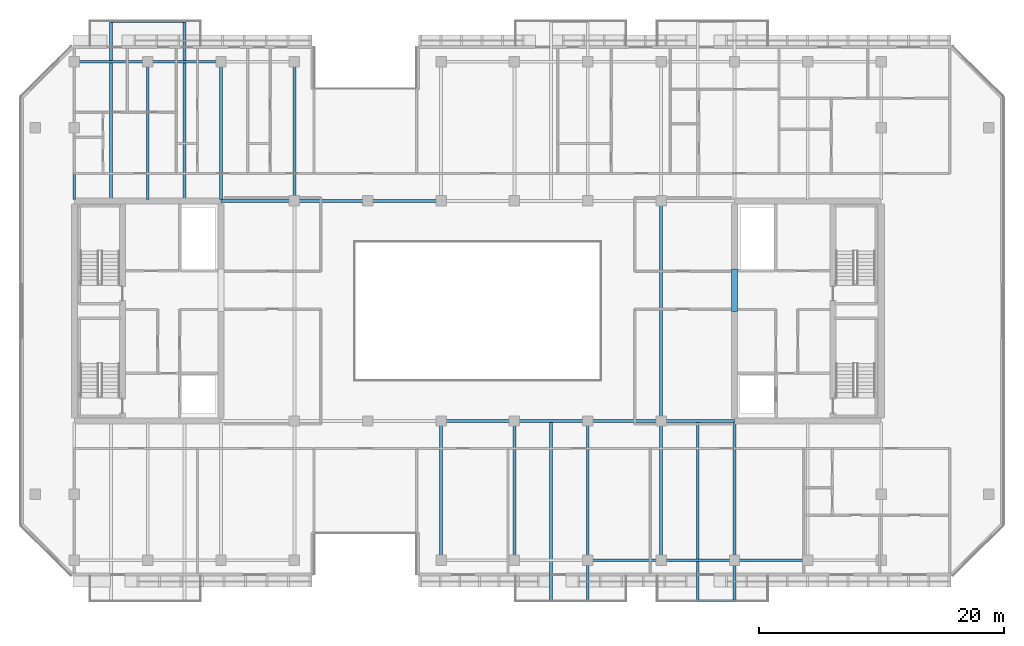
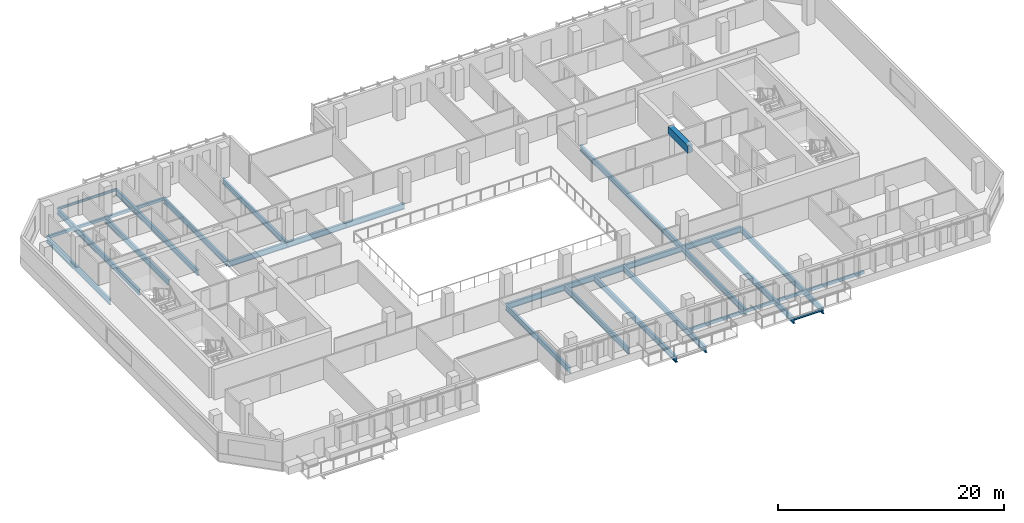
# One storey, part 5 of 19: 29 beams.
"""IFC4 building model written with IfcOpenShell, lengths in metres."""

from ifc_helpers import new_model, si_unit, direction, frame, origin, origin_2d, place, context, subcontext, project, spatial, rectangle, hollow_rectangle, i_section, extrude, material, material_profile, profile_set, type_object, element, save


model = new_model("IFC4")

# Units and contexts
model_context = context("Model", 3, precision=1e-05, world=origin(), true_north=direction((0.0, 1.0)))
body_context = subcontext(model_context, "Body", "Model", "MODEL_VIEW")
ifc_project = project(units=[si_unit("LENGTHUNIT", "METRE"), si_unit("AREAUNIT", "SQUARE_METRE"), si_unit("VOLUMEUNIT", "CUBIC_METRE"), si_unit("PLANEANGLEUNIT", "RADIAN"), si_unit("MASSUNIT", "GRAM", prefix="KILO")], contexts=[model_context])

# Site, building, storey
site_placement = place(None, origin())
site = spatial("IfcSite", under=ifc_project, at=site_placement, CompositionType="ELEMENT")
building_placement = place(site_placement, origin())
building = spatial("IfcBuilding", under=site, at=building_placement, Name="Tanjung Sevakor Pilgrim Tower", CompositionType="ELEMENT")
storey_placement = place(building_placement, frame((0.0, 0.0, 155.10009765625)))
storey = spatial("IfcBuildingStorey", under=building, at=storey_placement, Name="L43", CompositionType="ELEMENT", Elevation=155.10009765625)

# Beams
ifc_material_1 = material(Name="Steel S355J2", Category="steel")
ifc_material_profile_1 = material_profile(ifc_material_1, i_section(OverallWidth=0.230224609375, OverallDepth=0.6171875, WebThickness=0.01318359375, FlangeThickness=0.022216796875, FilletRadius=0.0126953125, at=origin_2d()))
ifc_profile_set_1 = profile_set([ifc_material_profile_1], Name="Steel S355J2")
beam_type_1 = type_object("IfcBeamType", Name="BM-B-G3-UB_610x229x140", PredefinedType="BEAM", material=ifc_profile_set_1)
for number, where, z_axis, x_axis, name in (
    (1, (54.0, 24.60009765625, -0.52880859375), (1.0, 0.0, 0.0), (0.0, 1.0, 0.0), "L43 Primary Floor Girder MAIN Y246-04"),
    (2, (60.0, 24.60009765625, -0.52880859375), (1.0, 0.0, 0.0), (0.0, 1.0, 0.0), "L43 Primary Floor Girder MAIN Y246-05"),
    (3, (66.0, 24.60009765625, -0.52880859375), (1.0, 0.0, 0.0), (0.0, 1.0, 0.0), "L43 Primary Floor Girder MAIN Y246-06"),
    (4, (72.0, 24.60009765625, -0.52880859375), (1.0, 0.0, 0.0), (0.0, 1.0, 0.0), "L43 Primary Floor Girder MAIN Y246-07"),
    (5, (36.0, 42.60009765625, -0.52880859375), (1.0, 0.0, 0.0), (0.0, 1.0, 0.0), "L43 Primary Floor Girder MAIN Y426-01"),
    (6, (42.0, 42.60009765625, -0.52880859375), (1.0, 0.0, 0.0), (0.0, 1.0, 0.0), "L43 Primary Floor Girder MAIN Y426-02"),
    (7, (48.0, 42.60009765625, -0.52880859375), (1.0, 0.0, 0.0), (0.0, 1.0, 0.0), "L43 Primary Floor Girder MAIN Y426-03"),
):
    element("IfcBeam", number, at=place(storey_placement, frame(where, z_axis=z_axis, x_axis=x_axis)), inside=storey, type_object=beam_type_1, Name=name, PredefinedType="BEAM", context=body_context, shape_type="SweptSolid", body=[
        extrude(i_section(OverallWidth=0.230224609375, OverallDepth=0.6171875, WebThickness=0.01318359375, FlangeThickness=0.022216796875, FilletRadius=0.0126953125, at=origin_2d()), origin(), (0.0, 0.0, 1.0), 6.0),
    ])
ifc_material_2 = material(Name="Steel S355J2", Category="steel")
ifc_material_profile_2 = material_profile(ifc_material_2, i_section(OverallWidth=0.22900390625, OverallDepth=0.6123046875, WebThickness=0.011962890625, FlangeThickness=0.01953125, FilletRadius=0.0126953125, at=origin_2d()))
ifc_profile_set_2 = profile_set([ifc_material_profile_2], Name="Steel S355J2")
beam_type_2 = type_object("IfcBeamType", Name="BM-B-G4-UB_610x229x125", PredefinedType="BEAM", material=ifc_profile_set_2)
beam_1_placement = place(storey_placement, frame((24.0, 42.715087890625, -0.526123046875), z_axis=(0.0, 1.0, 0.0), x_axis=(-1.0, 0.0, 0.0)))
element("IfcBeam", 8, at=beam_1_placement, inside=storey, type_object=beam_type_2, Name="L43 MAIN Girder 002", PredefinedType="BEAM", context=body_context, shape_type="SweptSolid", body=[
    extrude(i_section(OverallWidth=0.22900390625, OverallDepth=0.6123046875, WebThickness=0.011962890625, FlangeThickness=0.01953125, FilletRadius=0.0126953125, at=origin_2d()), origin(), (0.0, 0.0, 1.0), 11.284912109375),
])
beam_2_placement = place(storey_placement, frame((27.0, 42.715087890625, -0.526123046875), z_axis=(0.0, 1.0, 0.0), x_axis=(-1.0, 0.0, 0.0)))
element("IfcBeam", 9, at=beam_2_placement, inside=storey, type_object=beam_type_2, Name="L43 Balcony Cantilever Beam MAIN-N1-1", PredefinedType="BEAM", context=body_context, shape_type="SweptSolid", body=[
    extrude(i_section(OverallWidth=0.22900390625, OverallDepth=0.6123046875, WebThickness=0.011962890625, FlangeThickness=0.01953125, FilletRadius=0.0126953125, at=origin_2d()), origin(), (0.0, 0.0, 1.0), 14.56494140625),
])
beam_3_placement = place(storey_placement, frame((30.0, 42.715087890625, -0.526123046875), z_axis=(0.0, 1.0, 0.0), x_axis=(-1.0, 0.0, 0.0)))
element("IfcBeam", 10, at=beam_3_placement, inside=storey, type_object=beam_type_2, Name="L43 MAIN Girder 004", PredefinedType="BEAM", context=body_context, shape_type="SweptSolid", body=[
    extrude(i_section(OverallWidth=0.22900390625, OverallDepth=0.6123046875, WebThickness=0.011962890625, FlangeThickness=0.01953125, FilletRadius=0.0126953125, at=origin_2d()), origin(), (0.0, 0.0, 1.0), 11.284912109375),
])
beam_4_placement = place(storey_placement, frame((33.0, 42.715087890625, -0.526123046875), z_axis=(0.0, 1.0, 0.0), x_axis=(-1.0, 0.0, 0.0)))
element("IfcBeam", 11, at=beam_4_placement, inside=storey, type_object=beam_type_2, Name="L43 Balcony Cantilever Beam MAIN-N1-2", PredefinedType="BEAM", context=body_context, shape_type="SweptSolid", body=[
    extrude(i_section(OverallWidth=0.22900390625, OverallDepth=0.6123046875, WebThickness=0.011962890625, FlangeThickness=0.01953125, FilletRadius=0.0126953125, at=origin_2d()), origin(), (0.0, 0.0, 1.0), 14.56494140625),
])
beam_5_placement = place(storey_placement, frame((36.0, 42.715087890625, -0.526123046875), z_axis=(0.0, 1.0, 0.0), x_axis=(-1.0, 0.0, 0.0)))
element("IfcBeam", 12, at=beam_5_placement, inside=storey, type_object=beam_type_2, Name="L43 MAIN Girder 006", PredefinedType="BEAM", context=body_context, shape_type="SweptSolid", body=[
    extrude(i_section(OverallWidth=0.22900390625, OverallDepth=0.6123046875, WebThickness=0.011962890625, FlangeThickness=0.01953125, FilletRadius=0.0126953125, at=origin_2d()), origin(), (0.0, 0.0, 1.0), 11.284912109375),
])
beam_6_placement = place(storey_placement, frame((42.0, 42.60009765625, -0.526123046875), z_axis=(0.0, 1.0, 0.0), x_axis=(-1.0, 0.0, 0.0)))
element("IfcBeam", 13, at=beam_6_placement, inside=storey, type_object=beam_type_2, Name="L43 MAIN Girder 009", PredefinedType="BEAM", context=body_context, shape_type="SweptSolid", body=[
    extrude(i_section(OverallWidth=0.22900390625, OverallDepth=0.6123046875, WebThickness=0.011962890625, FlangeThickness=0.01953125, FilletRadius=0.0126953125, at=origin_2d()), origin(), (0.0, 0.0, 1.0), 11.39990234375),
])
for number, where, z_axis, x_axis, name in (
    (14, (54.0, 13.199951171875, -0.526123046875), (0.0, 1.0, 0.0), (-1.0, 0.0, 0.0), "L43 MAIN Girder 010"),
    (15, (60.0, 13.199951171875, -0.526123046875), (0.0, 1.0, 0.0), (-1.0, 0.0, 0.0), "L43 MAIN Girder 012"),
):
    element("IfcBeam", number, at=place(storey_placement, frame(where, z_axis=z_axis, x_axis=x_axis)), inside=storey, type_object=beam_type_2, Name=name, PredefinedType="BEAM", context=body_context, shape_type="SweptSolid", body=[
        extrude(i_section(OverallWidth=0.22900390625, OverallDepth=0.6123046875, WebThickness=0.011962890625, FlangeThickness=0.01953125, FilletRadius=0.0126953125, at=origin_2d()), origin(), (0.0, 0.0, 1.0), 11.400146484375),
    ])
beam_7_placement = place(storey_placement, frame((63.0, 24.48486328125, -0.526123046875), z_axis=(0.0, -1.0, 0.0), x_axis=(1.0, 0.0, 0.0)))
element("IfcBeam", 16, at=beam_7_placement, inside=storey, type_object=beam_type_2, Name="L43 Balcony Cantilever Beam MAIN-S2-1", PredefinedType="BEAM", context=body_context, shape_type="SweptSolid", body=[
    extrude(i_section(OverallWidth=0.22900390625, OverallDepth=0.6123046875, WebThickness=0.011962890625, FlangeThickness=0.01953125, FilletRadius=0.0126953125, at=origin_2d()), origin(), (0.0, 0.0, 1.0), 14.56494140625),
])
beam_8_placement = place(storey_placement, frame((66.0, 24.60009765625, -0.526123046875), z_axis=(0.0, -1.0, 0.0), x_axis=(1.0, 0.0, 0.0)))
element("IfcBeam", 17, at=beam_8_placement, inside=storey, type_object=beam_type_2, Name="L43 Balcony Cantilever Beam MAIN-S2-2", PredefinedType="BEAM", context=body_context, shape_type="SweptSolid", body=[
    extrude(i_section(OverallWidth=0.22900390625, OverallDepth=0.6123046875, WebThickness=0.011962890625, FlangeThickness=0.01953125, FilletRadius=0.0126953125, at=origin_2d()), origin(), (0.0, 0.0, 1.0), 14.68017578125),
])
beam_9_placement = place(storey_placement, frame((72.0, 13.199951171875, -0.526123046875), z_axis=(0.0, 1.0, 0.0), x_axis=(-1.0, 0.0, 0.0)))
element("IfcBeam", 18, at=beam_9_placement, inside=storey, type_object=beam_type_2, Name="L43 MAIN Girder 014", PredefinedType="BEAM", context=body_context, shape_type="SweptSolid", body=[
    extrude(i_section(OverallWidth=0.22900390625, OverallDepth=0.6123046875, WebThickness=0.011962890625, FlangeThickness=0.01953125, FilletRadius=0.0126953125, at=origin_2d()), origin(), (0.0, 0.0, 1.0), 11.400146484375),
])
beam_10_placement = place(storey_placement, frame((72.0, 24.60009765625, -0.526123046875), z_axis=(0.0, 1.0, 0.0), x_axis=(-1.0, 0.0, 0.0)))
element("IfcBeam", 19, at=beam_10_placement, inside=storey, type_object=beam_type_2, Name="L43 MAIN Girder 015", PredefinedType="BEAM", context=body_context, shape_type="SweptSolid", body=[
    extrude(i_section(OverallWidth=0.22900390625, OverallDepth=0.6123046875, WebThickness=0.011962890625, FlangeThickness=0.01953125, FilletRadius=0.0126953125, at=origin_2d()), origin(), (0.0, 0.0, 1.0), 18.0),
])
for number, where, z_axis, x_axis, name in (
    (20, (75.0, 24.48486328125, -0.526123046875), (0.0, -1.0, 0.0), (1.0, 0.0, 0.0), "L43 Balcony Cantilever Beam MAIN-S3-1"),
    (21, (78.0, 24.48486328125, -0.526123046875), (0.0, -1.0, 0.0), (1.0, 0.0, 0.0), "L43 Balcony Cantilever Beam MAIN-S3-2"),
):
    element("IfcBeam", number, at=place(storey_placement, frame(where, z_axis=z_axis, x_axis=x_axis)), inside=storey, type_object=beam_type_2, Name=name, PredefinedType="BEAM", context=body_context, shape_type="SweptSolid", body=[
        extrude(i_section(OverallWidth=0.22900390625, OverallDepth=0.6123046875, WebThickness=0.011962890625, FlangeThickness=0.01953125, FilletRadius=0.0126953125, at=origin_2d()), origin(), (0.0, 0.0, 1.0), 14.56494140625),
    ])
ifc_material_3 = material(Name="Steel S355J2", Category="steel")
ifc_material_profile_3 = material_profile(ifc_material_3, i_section(OverallWidth=0.146484375, OverallDepth=0.256103515625, WebThickness=0.00634765625, FlangeThickness=0.010986328125, FilletRadius=0.007568359375, at=origin_2d()))
ifc_profile_set_3 = profile_set([ifc_material_profile_3], Name="Steel S355J2")
beam_type_3 = type_object("IfcBeamType", Name="BM-B-J6-UB_254x146x37", PredefinedType="JOIST", material=ifc_profile_set_3)
beam_11_placement = place(storey_placement, frame((27.0, 57.280029296875, -0.328125), z_axis=(1.0, 0.0, 0.0), x_axis=(0.0, 1.0, 0.0)))
element("IfcBeam", 22, at=beam_11_placement, inside=storey, type_object=beam_type_3, Name="L43 Balcony Rim Tie MAIN-N1", PredefinedType="JOIST", context=body_context, shape_type="SweptSolid", body=[
    extrude(i_section(OverallWidth=0.146484375, OverallDepth=0.256103515625, WebThickness=0.00634765625, FlangeThickness=0.010986328125, FilletRadius=0.007568359375, at=origin_2d()), origin(), (0.0, 0.0, 1.0), 6.0),
])
beam_12_placement = place(storey_placement, frame((75.0, 9.919921875, -0.328125), z_axis=(1.0, 0.0, 0.0), x_axis=(0.0, 1.0, 0.0)))
element("IfcBeam", 23, at=beam_12_placement, inside=storey, type_object=beam_type_3, Name="L43 Balcony Rim Tie MAIN-S3", PredefinedType="JOIST", context=body_context, shape_type="SweptSolid", body=[
    extrude(i_section(OverallWidth=0.146484375, OverallDepth=0.256103515625, WebThickness=0.00634765625, FlangeThickness=0.010986328125, FilletRadius=0.007568359375, at=origin_2d()), origin(), (0.0, 0.0, 1.0), 3.0),
])
ifc_material_4 = material(Name="Concrete C60/75", Category="concrete")
ifc_material_profile_4 = material_profile(ifc_material_4, rectangle(XDim=0.5, YDim=0.800048828125, at=origin_2d()))
ifc_profile_set_4 = profile_set([ifc_material_profile_4], Name="Concrete C60/75")
beam_type_4 = type_object("IfcBeamType", Name="BM-B-LN2-RC-BM_500x800", PredefinedType="LINTEL", material=ifc_profile_set_4)
beam_13_placement = place(storey_placement, frame((78.0, 33.550048828125, 2.679931640625), z_axis=(0.0, 1.0, 0.0), x_axis=(-1.0, 0.0, 0.0)))
element("IfcBeam", 24, at=beam_13_placement, inside=storey, type_object=beam_type_4, Name="L43 E Core Coupling Lintel", PredefinedType="LINTEL", context=body_context, shape_type="SweptSolid", body=[
    extrude(rectangle(XDim=0.5, YDim=0.800048828125, at=origin_2d()), origin(), (0.0, 0.0, 1.0), 3.5),
])
ifc_material_5 = material(Name="Steel S355J2", Category="steel")
ifc_material_profile_5 = material_profile(ifc_material_5, hollow_rectangle(XDim=0.199951171875, YDim=0.300048828125, WallThickness=0.012451171875, at=origin_2d()))
ifc_profile_set_5 = profile_set([ifc_material_profile_5], Name="Steel S355J2")
beam_type_5 = type_object("IfcBeamType", Name="BM-B-SP3-RHS_300x200x12.5", PredefinedType="SPANDREL", material=ifc_profile_set_5)
for number, where, z_axis, x_axis, name in (
    (25, (24.0, 54.0, -0.3701171875), (1.0, 0.0, 0.0), (0.0, 1.0, 0.0), "L43 Spandrel MAIN N-02"),
    (26, (30.0, 54.0, -0.3701171875), (1.0, 0.0, 0.0), (0.0, 1.0, 0.0), "L43 Spandrel MAIN N-04"),
    (27, (66.0, 13.199951171875, -0.3701171875), (1.0, 0.0, 0.0), (0.0, 1.0, 0.0), "L43 Spandrel MAIN S-11"),
    (28, (72.0, 13.199951171875, -0.3701171875), (1.0, 0.0, 0.0), (0.0, 1.0, 0.0), "L43 Spandrel MAIN S-13"),
    (29, (78.0, 13.199951171875, -0.3701171875), (1.0, 0.0, 0.0), (0.0, 1.0, 0.0), "L43 Spandrel MAIN S-15"),
):
    element("IfcBeam", number, at=place(storey_placement, frame(where, z_axis=z_axis, x_axis=x_axis)), inside=storey, type_object=beam_type_5, Name=name, PredefinedType="SPANDREL", context=body_context, shape_type="SweptSolid", body=[
        extrude(hollow_rectangle(XDim=0.199951171875, YDim=0.300048828125, WallThickness=0.012451171875, at=origin_2d()), origin(), (0.0, 0.0, 1.0), 6.0),
    ])

save(model, "model.ifc")
